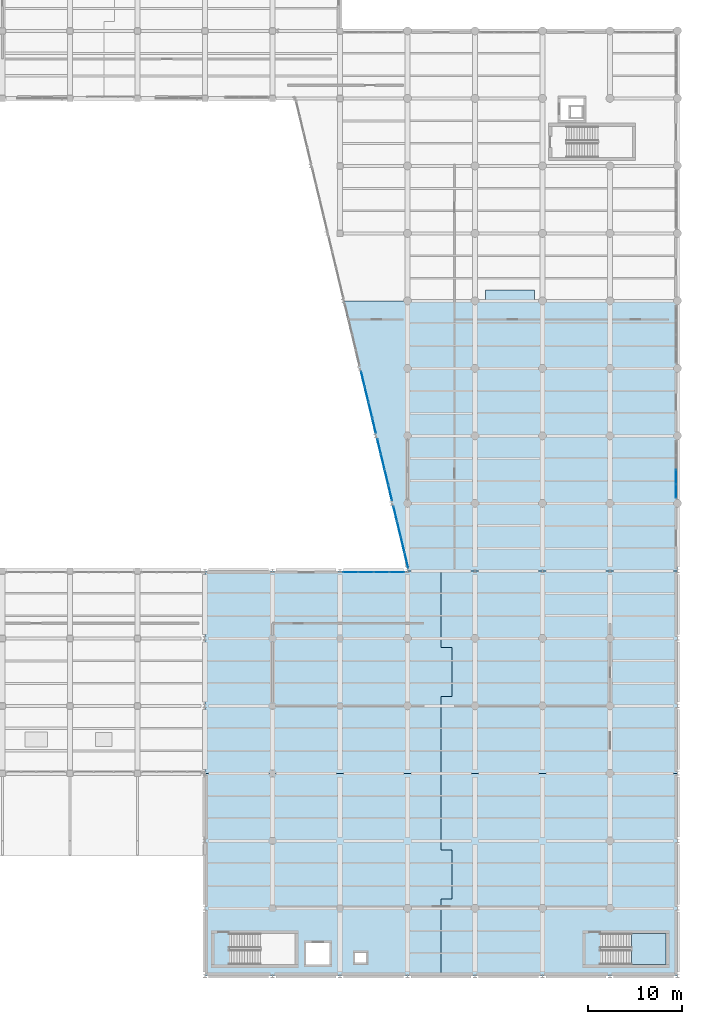
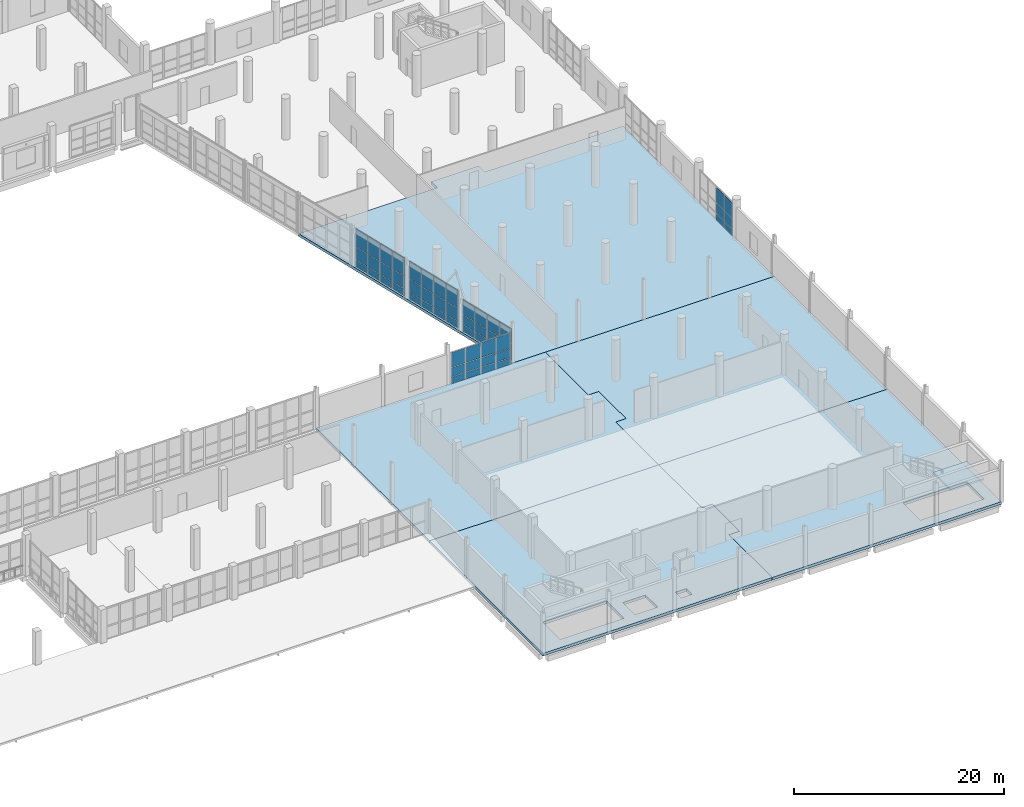
# One storey, part 85 of 127: 54 plates, 6 slabs, 6 elements without a shape of their own.
"""IFC4 building model written with IfcOpenShell, lengths in metres."""

from ifc_helpers import new_model, si_unit, direction, frame, origin, origin_2d, place, context, subcontext, project, spatial, polyline, rectangle, outline, extrude, material, layer, layer_set, type_object, element, aggregate, save


model = new_model("IFC4")

# Units and contexts
model_context = context("Model", 3, precision=1e-05, world=origin(), true_north=direction((0.0, 1.0)))
body_context = subcontext(model_context, "Body", "Model", "MODEL_VIEW")
ifc_project = project(units=[si_unit("LENGTHUNIT", "METRE"), si_unit("AREAUNIT", "SQUARE_METRE"), si_unit("VOLUMEUNIT", "CUBIC_METRE"), si_unit("PLANEANGLEUNIT", "RADIAN"), si_unit("MASSUNIT", "GRAM", prefix="KILO")], contexts=[model_context])

# Site, building, storey
site_placement = place(None, origin())
site = spatial("IfcSite", under=ifc_project, at=site_placement, CompositionType="ELEMENT")
building_placement = place(site_placement, origin())
building = spatial("IfcBuilding", under=site, at=building_placement, Name="Kalmorath City Hall", CompositionType="ELEMENT")
storey_placement = place(building_placement, frame((0.0, 0.0, 5.39990234375)))
storey = spatial("IfcBuildingStorey", under=building, at=storey_placement, Name="L01", CompositionType="ELEMENT", Elevation=5.39990234375)

# Slabs
ifc_material_1 = material(Name="Concrete C40/50", Category="concrete")
ifc_layer_1 = layer(ifc_material_1, 0.320068359375)
ifc_layer_set_1 = layer_set([ifc_layer_1], Name="Concrete C40/50")
slab_type_1 = type_object("IfcSlabType", Name="Concrete heavy assembly floor slab 320", PredefinedType="FLOOR", material=ifc_layer_set_1)
slab_1_placement = place(storey_placement, frame((0.0, 0.0, -0.31982421875)))
element("IfcSlab", 1, at=slab_1_placement, inside=storey, type_object=slab_type_1, Name="L01 Council Chamber Pavilion slab FS3-1", PredefinedType="FLOOR", context=body_context, shape_type="SweptSolid", body=[
    extrude(outline(polyline([(115.199951171875, 21.60009765625), (140.39990234375, 21.60009765625), (140.39990234375, 13.39990234375), (141.550048828125, 13.39990234375), (141.550048828125, 8.199951171875), (140.39990234375, 8.199951171875), (140.39990234375, 0.0), (115.199951171875, 0.0), (115.199951171875, 21.60009765625)]), holes=[polyline([(124.800048828125, 4.5), (117.7900390625, 4.5), (117.7900390625, 1.199951171875), (124.800048828125, 1.199951171875), (124.800048828125, 4.5)]), polyline([(128.5, 1.199951171875), (128.5, 3.5), (126.0, 3.5), (126.0, 1.199951171875), (128.5, 1.199951171875)]), polyline([(131.199951171875, 2.47998046875), (131.199951171875, 1.39990234375), (132.39990234375, 1.39990234375), (132.39990234375, 2.47998046875), (131.199951171875, 2.47998046875)])]), origin(), (0.0, 0.0, 1.0), 0.31982421875),
])
slab_2_placement = place(storey_placement, frame((0.0, 0.0, -0.31982421875)))
element("IfcSlab", 2, at=slab_2_placement, inside=storey, type_object=slab_type_1, Name="L01 Council Chamber Pavilion slab FS3-2", PredefinedType="FLOOR", context=body_context, shape_type="SweptSolid", body=[
    extrude(outline(polyline([(140.39990234375, 0.0), (140.39990234375, 8.199951171875), (141.550048828125, 8.199951171875), (141.550048828125, 13.39990234375), (140.39990234375, 13.39990234375), (140.39990234375, 21.60009765625), (165.60009765625, 21.60009765625), (165.60009765625, 0.0), (140.39990234375, 0.0)]), holes=[polyline([(157.389892578125, 1.199951171875), (164.39990234375, 1.199951171875), (164.39990234375, 4.5), (157.389892578125, 4.5), (157.389892578125, 1.199951171875)])]), origin(), (0.0, 0.0, 1.0), 0.31982421875),
])
slab_3_placement = place(storey_placement, frame((0.0, 0.0, -0.31982421875)))
element("IfcSlab", 3, at=slab_3_placement, inside=storey, type_object=slab_type_1, Name="L01 Council Chamber Pavilion slab FS3-3", PredefinedType="FLOOR", context=body_context, shape_type="SweptSolid", body=[
    extrude(outline(polyline([(140.39990234375, 35.0), (141.550048828125, 35.0), (141.550048828125, 29.800048828125), (140.39990234375, 29.800048828125), (140.39990234375, 21.60009765625), (115.199951171875, 21.60009765625), (115.199951171875, 43.199951171875), (140.39990234375, 43.199951171875), (140.39990234375, 35.0)])), origin(), (0.0, 0.0, 1.0), 0.31982421875),
])
slab_4_placement = place(storey_placement, frame((0.0, 0.0, -0.31982421875)))
element("IfcSlab", 4, at=slab_4_placement, inside=storey, type_object=slab_type_1, Name="L01 Council Chamber Pavilion slab FS3-4", PredefinedType="FLOOR", context=body_context, shape_type="SweptSolid", body=[
    extrude(outline(polyline([(165.60009765625, 21.60009765625), (140.39990234375, 21.60009765625), (140.39990234375, 29.800048828125), (141.550048828125, 29.800048828125), (141.550048828125, 35.0), (140.39990234375, 35.0), (140.39990234375, 43.199951171875), (165.60009765625, 43.199951171875), (165.60009765625, 21.60009765625)])), origin(), (0.0, 0.0, 1.0), 0.31982421875),
])
slab_5_placement = place(storey_placement, frame((0.0, 0.0, -0.31982421875)))
element("IfcSlab", 5, at=slab_5_placement, inside=storey, type_object=slab_type_1, Name="L01 Members Library Pavilion slab FS3-1", PredefinedType="FLOOR", context=body_context, shape_type="SweptSolid", body=[
    extrude(outline(polyline([(136.800048828125, 43.199951171875), (129.885498046875, 72.0), (145.142822265625, 72.0), (145.142822265625, 73.14990234375), (150.3427734375, 73.14990234375), (150.3427734375, 72.0), (165.60009765625, 72.0), (165.60009765625, 43.199951171875), (136.800048828125, 43.199951171875)])), origin(), (0.0, 0.0, 1.0), 0.31982421875),
])

# Stair, slab
ifc_material_2 = material(Name="Concrete C40/50", Category="concrete")
stair_type = type_object("IfcStairType", Name="Dogleg concrete exit stair 26R x 185mm W1550", PredefinedType="HALF_TURN_STAIR", material=ifc_material_2)
stair_placement = place(storey_placement, origin())
stair = element("IfcStair", 6, at=stair_placement, inside=storey, type_object=stair_type, Name="L01 Protected exit stair ST-7", PredefinedType="HALF_TURN_STAIR")
ifc_material_3 = material(Name="Concrete C40/50", Category="concrete")
ifc_layer_2 = layer(ifc_material_3, 0.199951171875)
ifc_layer_set_2 = layer_set([ifc_layer_2], Name="Concrete C40/50")
slab_type_2 = type_object("IfcSlabType", Name="Concrete stair half-landing slab 200", PredefinedType="LANDING", material=ifc_layer_set_2)
slab_6_placement = place(storey_placement, frame((0.0, 0.0, 2.2001953125)))
slab_6 = element("IfcSlab", 7, at=slab_6_placement, type_object=slab_type_2, Name="ST-7 landing 1", PredefinedType="LANDING", context=body_context, shape_type="SweptSolid", body=[
    extrude(outline(polyline([(160.7099609375, 1.199951171875), (164.39990234375, 1.199951171875), (164.39990234375, 4.5), (160.7099609375, 4.5), (160.7099609375, 1.199951171875)])), origin(), (0.0, 0.0, 1.0), 0.199951171875),
])
aggregate(stair, [slab_6])

# Curtain wall, plates
ifc_material_4 = material(Name="Anodised aluminium and laminated glass", Category="aluminium")
curtain_wall_type_1 = type_object("IfcCurtainWallType", Name="Unitised hurricane curtain wall 6170x3976 M1650", PredefinedType="NOTDEFINED", material=ifc_material_4)
curtain_wall_1_placement = place(storey_placement, origin())
curtain_wall_1 = element("IfcCurtainWall", 8, at=curtain_wall_1_placement, inside=storey, type_object=curtain_wall_type_1, Name="L01 curtain wall CW-62X40M16 #66", PredefinedType="NOTDEFINED")
ifc_material_5 = material(Name="Hurricane laminated low-E glass", Category="glass")
ifc_layer_3 = layer(ifc_material_5, 0.035888671875)
ifc_layer_set_3 = layer_set([ifc_layer_3], Name="Hurricane laminated low-E glass")
plate_type = type_object("IfcPlateType", Name="Library acoustic low-E glazed panel 36", PredefinedType="CURTAIN_PANEL", material=ifc_layer_set_3)
plate_1_placement = place(storey_placement, frame((165.43994140625, 53.228759765625, 0.06005859375), z_axis=(0.0, 0.0, 1.0), x_axis=(0.0, -1.0, 0.0)))
plate_1 = element("IfcPlate", 9, at=plate_1_placement, type_object=plate_type, Name="CW-62X40M16 panel 3.1", PredefinedType="CURTAIN_PANEL", context=body_context, shape_type="SweptSolid", body=[
    extrude(rectangle(XDim=1.467529296875, YDim=0.035888671875, at=origin_2d()), origin(), (0.0, 0.0, 1.0), 0.760009765625),
])
plate_2_placement = place(storey_placement, frame((165.43994140625, 53.228759765625, 0.8798828125), z_axis=(0.0, 0.0, 1.0), x_axis=(0.0, -1.0, 0.0)))
plate_2 = element("IfcPlate", 10, at=plate_2_placement, type_object=plate_type, Name="CW-62X40M16 panel 3.2", PredefinedType="CURTAIN_PANEL", context=body_context, shape_type="SweptSolid", body=[
    extrude(rectangle(XDim=1.467529296875, YDim=0.035888671875, at=origin_2d()), origin(), (0.0, 0.0, 1.0), 1.157958984375),
])
plate_3_placement = place(storey_placement, frame((165.43994140625, 53.228759765625, 2.09814453125), z_axis=(0.0, 0.0, 1.0), x_axis=(0.0, -1.0, 0.0)))
plate_3 = element("IfcPlate", 11, at=plate_3_placement, type_object=plate_type, Name="CW-62X40M16 panel 3.3", PredefinedType="CURTAIN_PANEL", context=body_context, shape_type="SweptSolid", body=[
    extrude(rectangle(XDim=1.467529296875, YDim=0.035888671875, at=origin_2d()), origin(), (0.0, 0.0, 1.0), 1.818115234375),
])
plate_4_placement = place(storey_placement, frame((165.43994140625, 51.705078125, 0.06005859375), z_axis=(0.0, 0.0, 1.0), x_axis=(0.0, -1.0, 0.0)))
plate_4 = element("IfcPlate", 12, at=plate_4_placement, type_object=plate_type, Name="CW-62X40M16 panel 4.1", PredefinedType="CURTAIN_PANEL", context=body_context, shape_type="SweptSolid", body=[
    extrude(rectangle(XDim=1.429931640625, YDim=0.035888671875, at=origin_2d()), origin(), (0.0, 0.0, 1.0), 0.760009765625),
])
plate_5_placement = place(storey_placement, frame((165.43994140625, 51.705078125, 0.8798828125), z_axis=(0.0, 0.0, 1.0), x_axis=(0.0, -1.0, 0.0)))
plate_5 = element("IfcPlate", 13, at=plate_5_placement, type_object=plate_type, Name="CW-62X40M16 panel 4.2", PredefinedType="CURTAIN_PANEL", context=body_context, shape_type="SweptSolid", body=[
    extrude(rectangle(XDim=1.429931640625, YDim=0.035888671875, at=origin_2d()), origin(), (0.0, 0.0, 1.0), 1.157958984375),
])
plate_6_placement = place(storey_placement, frame((165.43994140625, 51.705078125, 2.09814453125), z_axis=(0.0, 0.0, 1.0), x_axis=(0.0, -1.0, 0.0)))
plate_6 = element("IfcPlate", 14, at=plate_6_placement, type_object=plate_type, Name="CW-62X40M16 panel 4.3", PredefinedType="CURTAIN_PANEL", context=body_context, shape_type="SweptSolid", body=[
    extrude(rectangle(XDim=1.429931640625, YDim=0.035888671875, at=origin_2d()), origin(), (0.0, 0.0, 1.0), 1.818115234375),
])
aggregate(curtain_wall_1, [plate_1, plate_2, plate_3, plate_4, plate_5, plate_6])

ifc_material_6 = material(Name="Anodised aluminium and laminated glass", Category="aluminium")
curtain_wall_type_2 = type_object("IfcCurtainWallType", Name="Unitised hurricane curtain wall 6646x3751 M1650", PredefinedType="NOTDEFINED", material=ifc_material_6)
curtain_wall_2_placement = place(storey_placement, origin())
curtain_wall_2 = element("IfcCurtainWall", 15, at=curtain_wall_2_placement, inside=storey, type_object=curtain_wall_type_2, Name="L01 curtain wall CW-66X38M16 #93", PredefinedType="NOTDEFINED")
plate_7_placement = place(storey_placement, frame((130.7265625, 43.0400390625, 0.06005859375), z_axis=(0.0, 0.0, 1.0), x_axis=(1.0, 0.0, 0.0)))
plate_7 = element("IfcPlate", 16, at=plate_7_placement, type_object=plate_type, Name="CW-66X38M16 panel 1.1", PredefinedType="CURTAIN_PANEL", context=body_context, shape_type="SweptSolid", body=[
    extrude(rectangle(XDim=1.549072265625, YDim=0.035888671875, at=origin_2d()), origin(), (0.0, 0.0, 1.0), 0.760009765625),
])
plate_8_placement = place(storey_placement, frame((130.7265625, 43.0400390625, 0.880126953125), z_axis=(0.0, 0.0, 1.0), x_axis=(1.0, 0.0, 0.0)))
plate_8 = element("IfcPlate", 17, at=plate_8_placement, type_object=plate_type, Name="CW-66X38M16 panel 1.2", PredefinedType="CURTAIN_PANEL", context=body_context, shape_type="SweptSolid", body=[
    extrude(rectangle(XDim=1.549072265625, YDim=0.035888671875, at=origin_2d()), origin(), (0.0, 0.0, 1.0), 1.041015625),
])
plate_9_placement = place(storey_placement, frame((130.7265625, 43.0400390625, 1.981201171875), z_axis=(0.0, 0.0, 1.0), x_axis=(1.0, 0.0, 0.0)))
plate_9 = element("IfcPlate", 18, at=plate_9_placement, type_object=plate_type, Name="CW-66X38M16 panel 1.3", PredefinedType="CURTAIN_PANEL", context=body_context, shape_type="SweptSolid", body=[
    extrude(rectangle(XDim=1.549072265625, YDim=0.035888671875, at=origin_2d()), origin(), (0.0, 0.0, 1.0), 1.7099609375),
])
plate_10_placement = place(storey_placement, frame((132.369140625, 43.0400390625, 0.06005859375), z_axis=(0.0, 0.0, 1.0), x_axis=(1.0, 0.0, 0.0)))
plate_10 = element("IfcPlate", 19, at=plate_10_placement, type_object=plate_type, Name="CW-66X38M16 panel 2.1", PredefinedType="CURTAIN_PANEL", context=body_context, shape_type="SweptSolid", body=[
    extrude(rectangle(XDim=1.58642578125, YDim=0.035888671875, at=origin_2d()), origin(), (0.0, 0.0, 1.0), 0.760009765625),
])
plate_11_placement = place(storey_placement, frame((132.369140625, 43.0400390625, 0.880126953125), z_axis=(0.0, 0.0, 1.0), x_axis=(1.0, 0.0, 0.0)))
plate_11 = element("IfcPlate", 20, at=plate_11_placement, type_object=plate_type, Name="CW-66X38M16 panel 2.2", PredefinedType="CURTAIN_PANEL", context=body_context, shape_type="SweptSolid", body=[
    extrude(rectangle(XDim=1.58642578125, YDim=0.035888671875, at=origin_2d()), origin(), (0.0, 0.0, 1.0), 1.041015625),
])
plate_12_placement = place(storey_placement, frame((132.369140625, 43.0400390625, 1.981201171875), z_axis=(0.0, 0.0, 1.0), x_axis=(1.0, 0.0, 0.0)))
plate_12 = element("IfcPlate", 21, at=plate_12_placement, type_object=plate_type, Name="CW-66X38M16 panel 2.3", PredefinedType="CURTAIN_PANEL", context=body_context, shape_type="SweptSolid", body=[
    extrude(rectangle(XDim=1.58642578125, YDim=0.035888671875, at=origin_2d()), origin(), (0.0, 0.0, 1.0), 1.7099609375),
])
plate_13_placement = place(storey_placement, frame((134.03076171875, 43.0400390625, 0.06005859375), z_axis=(0.0, 0.0, 1.0), x_axis=(1.0, 0.0, 0.0)))
plate_13 = element("IfcPlate", 22, at=plate_13_placement, type_object=plate_type, Name="CW-66X38M16 panel 3.1", PredefinedType="CURTAIN_PANEL", context=body_context, shape_type="SweptSolid", body=[
    extrude(rectangle(XDim=1.58642578125, YDim=0.035888671875, at=origin_2d()), origin(), (0.0, 0.0, 1.0), 0.760009765625),
])
plate_14_placement = place(storey_placement, frame((134.03076171875, 43.0400390625, 0.880126953125), z_axis=(0.0, 0.0, 1.0), x_axis=(1.0, 0.0, 0.0)))
plate_14 = element("IfcPlate", 23, at=plate_14_placement, type_object=plate_type, Name="CW-66X38M16 panel 3.2", PredefinedType="CURTAIN_PANEL", context=body_context, shape_type="SweptSolid", body=[
    extrude(rectangle(XDim=1.58642578125, YDim=0.035888671875, at=origin_2d()), origin(), (0.0, 0.0, 1.0), 1.041015625),
])
plate_15_placement = place(storey_placement, frame((134.03076171875, 43.0400390625, 1.981201171875), z_axis=(0.0, 0.0, 1.0), x_axis=(1.0, 0.0, 0.0)))
plate_15 = element("IfcPlate", 24, at=plate_15_placement, type_object=plate_type, Name="CW-66X38M16 panel 3.3", PredefinedType="CURTAIN_PANEL", context=body_context, shape_type="SweptSolid", body=[
    extrude(rectangle(XDim=1.58642578125, YDim=0.035888671875, at=origin_2d()), origin(), (0.0, 0.0, 1.0), 1.7099609375),
])
plate_16_placement = place(storey_placement, frame((135.673583984375, 43.0400390625, 0.06005859375), z_axis=(0.0, 0.0, 1.0), x_axis=(1.0, 0.0, 0.0)))
plate_16 = element("IfcPlate", 25, at=plate_16_placement, type_object=plate_type, Name="CW-66X38M16 panel 4.1", PredefinedType="CURTAIN_PANEL", context=body_context, shape_type="SweptSolid", body=[
    extrude(rectangle(XDim=1.549072265625, YDim=0.035888671875, at=origin_2d()), origin(), (0.0, 0.0, 1.0), 0.760009765625),
])
plate_17_placement = place(storey_placement, frame((135.673583984375, 43.0400390625, 0.880126953125), z_axis=(0.0, 0.0, 1.0), x_axis=(1.0, 0.0, 0.0)))
plate_17 = element("IfcPlate", 26, at=plate_17_placement, type_object=plate_type, Name="CW-66X38M16 panel 4.2", PredefinedType="CURTAIN_PANEL", context=body_context, shape_type="SweptSolid", body=[
    extrude(rectangle(XDim=1.549072265625, YDim=0.035888671875, at=origin_2d()), origin(), (0.0, 0.0, 1.0), 1.041015625),
])
plate_18_placement = place(storey_placement, frame((135.673583984375, 43.0400390625, 1.981201171875), z_axis=(0.0, 0.0, 1.0), x_axis=(1.0, 0.0, 0.0)))
plate_18 = element("IfcPlate", 27, at=plate_18_placement, type_object=plate_type, Name="CW-66X38M16 panel 4.3", PredefinedType="CURTAIN_PANEL", context=body_context, shape_type="SweptSolid", body=[
    extrude(rectangle(XDim=1.549072265625, YDim=0.035888671875, at=origin_2d()), origin(), (0.0, 0.0, 1.0), 1.7099609375),
])
aggregate(curtain_wall_2, [plate_7, plate_8, plate_9, plate_10, plate_11, plate_12, plate_13, plate_14, plate_15, plate_16, plate_17, plate_18])

ifc_material_7 = material(Name="Anodised aluminium and laminated glass", Category="aluminium")
curtain_wall_type_3 = type_object("IfcCurtainWallType", Name="Unitised hurricane curtain wall 6842x3801 M1650", PredefinedType="NOTDEFINED", material=ifc_material_7)
curtain_wall_3_placement = place(storey_placement, origin())
curtain_wall_3 = element("IfcCurtainWall", 28, at=curtain_wall_3_placement, inside=storey, type_object=curtain_wall_type_3, Name="L01 curtain wall CW-68X38M16 #94", PredefinedType="NOTDEFINED")
plate_19_placement = place(storey_placement, frame((136.69384765625, 44.326904296875, 0.06005859375), z_axis=(0.0, 0.0, 1.0), x_axis=(-0.23345310467, 0.97236806196, 0.0)))
plate_19 = element("IfcPlate", 29, at=plate_19_placement, type_object=plate_type, Name="CW-68X38M16 panel 1.1", PredefinedType="CURTAIN_PANEL", context=body_context, shape_type="SweptSolid", body=[
    extrude(rectangle(XDim=1.597900390625, YDim=0.035888671875, at=origin_2d()), origin(), (0.0, 0.0, 1.0), 0.760009765625),
])
plate_20_placement = place(storey_placement, frame((136.69384765625, 44.326904296875, 0.880126953125), z_axis=(0.0, 0.0, 1.0), x_axis=(-0.23345310467, 0.97236806196, 0.0)))
plate_20 = element("IfcPlate", 30, at=plate_20_placement, type_object=plate_type, Name="CW-68X38M16 panel 1.2", PredefinedType="CURTAIN_PANEL", context=body_context, shape_type="SweptSolid", body=[
    extrude(rectangle(XDim=1.597900390625, YDim=0.035888671875, at=origin_2d()), origin(), (0.0, 0.0, 1.0), 1.06689453125),
])
plate_21_placement = place(storey_placement, frame((136.69384765625, 44.326904296875, 2.007080078125), z_axis=(0.0, 0.0, 1.0), x_axis=(-0.23345310467, 0.97236806196, 0.0)))
plate_21 = element("IfcPlate", 31, at=plate_21_placement, type_object=plate_type, Name="CW-68X38M16 panel 1.3", PredefinedType="CURTAIN_PANEL", context=body_context, shape_type="SweptSolid", body=[
    extrude(rectangle(XDim=1.597900390625, YDim=0.035888671875, at=origin_2d()), origin(), (0.0, 0.0, 1.0), 1.73388671875),
])
plate_22_placement = place(storey_placement, frame((136.299072265625, 45.971923828125, 0.06005859375), z_axis=(0.0, 0.0, 1.0), x_axis=(-0.23345310467, 0.97236806196, 0.0)))
plate_22 = element("IfcPlate", 32, at=plate_22_placement, type_object=plate_type, Name="CW-68X38M16 panel 2.1", PredefinedType="CURTAIN_PANEL", context=body_context, shape_type="SweptSolid", body=[
    extrude(rectangle(XDim=1.635498046875, YDim=0.035888671875, at=origin_2d()), origin(), (0.0, 0.0, 1.0), 0.760009765625),
])
plate_23_placement = place(storey_placement, frame((136.299072265625, 45.971923828125, 0.880126953125), z_axis=(0.0, 0.0, 1.0), x_axis=(-0.23345310467, 0.97236806196, 0.0)))
plate_23 = element("IfcPlate", 33, at=plate_23_placement, type_object=plate_type, Name="CW-68X38M16 panel 2.2", PredefinedType="CURTAIN_PANEL", context=body_context, shape_type="SweptSolid", body=[
    extrude(rectangle(XDim=1.635498046875, YDim=0.035888671875, at=origin_2d()), origin(), (0.0, 0.0, 1.0), 1.06689453125),
])
plate_24_placement = place(storey_placement, frame((136.299072265625, 45.971923828125, 2.007080078125), z_axis=(0.0, 0.0, 1.0), x_axis=(-0.23345310467, 0.97236806196, 0.0)))
plate_24 = element("IfcPlate", 34, at=plate_24_placement, type_object=plate_type, Name="CW-68X38M16 panel 2.3", PredefinedType="CURTAIN_PANEL", context=body_context, shape_type="SweptSolid", body=[
    extrude(rectangle(XDim=1.635498046875, YDim=0.035888671875, at=origin_2d()), origin(), (0.0, 0.0, 1.0), 1.73388671875),
])
plate_25_placement = place(storey_placement, frame((135.899658203125, 47.635009765625, 0.06005859375), z_axis=(0.0, 0.0, 1.0), x_axis=(-0.23345310467, 0.97236806196, 0.0)))
plate_25 = element("IfcPlate", 35, at=plate_25_placement, type_object=plate_type, Name="CW-68X38M16 panel 3.1", PredefinedType="CURTAIN_PANEL", context=body_context, shape_type="SweptSolid", body=[
    extrude(rectangle(XDim=1.635498046875, YDim=0.035888671875, at=origin_2d()), origin(), (0.0, 0.0, 1.0), 0.760009765625),
])
plate_26_placement = place(storey_placement, frame((135.899658203125, 47.635009765625, 0.880126953125), z_axis=(0.0, 0.0, 1.0), x_axis=(-0.23345310467, 0.97236806196, 0.0)))
plate_26 = element("IfcPlate", 36, at=plate_26_placement, type_object=plate_type, Name="CW-68X38M16 panel 3.2", PredefinedType="CURTAIN_PANEL", context=body_context, shape_type="SweptSolid", body=[
    extrude(rectangle(XDim=1.635498046875, YDim=0.035888671875, at=origin_2d()), origin(), (0.0, 0.0, 1.0), 1.06689453125),
])
plate_27_placement = place(storey_placement, frame((135.899658203125, 47.635009765625, 2.007080078125), z_axis=(0.0, 0.0, 1.0), x_axis=(-0.23345310467, 0.97236806196, 0.0)))
plate_27 = element("IfcPlate", 37, at=plate_27_placement, type_object=plate_type, Name="CW-68X38M16 panel 3.3", PredefinedType="CURTAIN_PANEL", context=body_context, shape_type="SweptSolid", body=[
    extrude(rectangle(XDim=1.635498046875, YDim=0.035888671875, at=origin_2d()), origin(), (0.0, 0.0, 1.0), 1.73388671875),
])
plate_28_placement = place(storey_placement, frame((135.504638671875, 49.280029296875, 0.06005859375), z_axis=(0.0, 0.0, 1.0), x_axis=(-0.23345310467, 0.97236806196, 0.0)))
plate_28 = element("IfcPlate", 38, at=plate_28_placement, type_object=plate_type, Name="CW-68X38M16 panel 4.1", PredefinedType="CURTAIN_PANEL", context=body_context, shape_type="SweptSolid", body=[
    extrude(rectangle(XDim=1.597900390625, YDim=0.035888671875, at=origin_2d()), origin(), (0.0, 0.0, 1.0), 0.760009765625),
])
plate_29_placement = place(storey_placement, frame((135.504638671875, 49.280029296875, 0.880126953125), z_axis=(0.0, 0.0, 1.0), x_axis=(-0.23345310467, 0.97236806196, 0.0)))
plate_29 = element("IfcPlate", 39, at=plate_29_placement, type_object=plate_type, Name="CW-68X38M16 panel 4.2", PredefinedType="CURTAIN_PANEL", context=body_context, shape_type="SweptSolid", body=[
    extrude(rectangle(XDim=1.597900390625, YDim=0.035888671875, at=origin_2d()), origin(), (0.0, 0.0, 1.0), 1.06689453125),
])
plate_30_placement = place(storey_placement, frame((135.504638671875, 49.280029296875, 2.007080078125), z_axis=(0.0, 0.0, 1.0), x_axis=(-0.23345310467, 0.97236806196, 0.0)))
plate_30 = element("IfcPlate", 40, at=plate_30_placement, type_object=plate_type, Name="CW-68X38M16 panel 4.3", PredefinedType="CURTAIN_PANEL", context=body_context, shape_type="SweptSolid", body=[
    extrude(rectangle(XDim=1.597900390625, YDim=0.035888671875, at=origin_2d()), origin(), (0.0, 0.0, 1.0), 1.73388671875),
])
aggregate(curtain_wall_3, [plate_19, plate_20, plate_21, plate_22, plate_23, plate_24, plate_25, plate_26, plate_27, plate_28, plate_29, plate_30])

ifc_material_8 = material(Name="Anodised aluminium and laminated glass", Category="aluminium")
curtain_wall_type_4 = type_object("IfcCurtainWallType", Name="Unitised hurricane curtain wall 6849x4520 M1650", PredefinedType="NOTDEFINED", material=ifc_material_8)
curtain_wall_4_placement = place(storey_placement, origin())
curtain_wall_4 = element("IfcCurtainWall", 41, at=curtain_wall_4_placement, inside=storey, type_object=curtain_wall_type_4, Name="L01 curtain wall CW-68X45M16 #95", PredefinedType="NOTDEFINED")
plate_31_placement = place(storey_placement, frame((134.966796875, 51.520751953125, 0.06005859375), z_axis=(0.0, 0.0, 1.0), x_axis=(-0.233455781305, 0.97236741933, 0.0)))
plate_31 = element("IfcPlate", 42, at=plate_31_placement, type_object=plate_type, Name="CW-68X45M16 panel 1.1", PredefinedType="CURTAIN_PANEL", context=body_context, shape_type="SweptSolid", body=[
    extrude(rectangle(XDim=1.599853515625, YDim=0.035888671875, at=origin_2d()), origin(), (0.0, 0.0, 1.0), 0.760009765625),
])
plate_32_placement = place(storey_placement, frame((134.966796875, 51.520751953125, 0.880126953125), z_axis=(0.0, 0.0, 1.0), x_axis=(-0.233455781305, 0.97236741933, 0.0)))
plate_32 = element("IfcPlate", 43, at=plate_32_placement, type_object=plate_type, Name="CW-68X45M16 panel 1.2", PredefinedType="CURTAIN_PANEL", context=body_context, shape_type="SweptSolid", body=[
    extrude(rectangle(XDim=1.599853515625, YDim=0.035888671875, at=origin_2d()), origin(), (0.0, 0.0, 1.0), 1.43994140625),
])
plate_33_placement = place(storey_placement, frame((134.966796875, 51.520751953125, 2.380126953125), z_axis=(0.0, 0.0, 1.0), x_axis=(-0.233455781305, 0.97236741933, 0.0)))
plate_33 = element("IfcPlate", 44, at=plate_33_placement, type_object=plate_type, Name="CW-68X45M16 panel 1.3", PredefinedType="CURTAIN_PANEL", context=body_context, shape_type="SweptSolid", body=[
    extrude(rectangle(XDim=1.599853515625, YDim=0.035888671875, at=origin_2d()), origin(), (0.0, 0.0, 1.0), 2.080078125),
])
plate_34_placement = place(storey_placement, frame((134.571533203125, 53.16748046875, 0.06005859375), z_axis=(0.0, 0.0, 1.0), x_axis=(-0.233455781305, 0.97236741933, 0.0)))
plate_34 = element("IfcPlate", 45, at=plate_34_placement, type_object=plate_type, Name="CW-68X45M16 panel 2.1", PredefinedType="CURTAIN_PANEL", context=body_context, shape_type="SweptSolid", body=[
    extrude(rectangle(XDim=1.63720703125, YDim=0.035888671875, at=origin_2d()), origin(), (0.0, 0.0, 1.0), 0.760009765625),
])
plate_35_placement = place(storey_placement, frame((134.571533203125, 53.16748046875, 0.880126953125), z_axis=(0.0, 0.0, 1.0), x_axis=(-0.233455781305, 0.97236741933, 0.0)))
plate_35 = element("IfcPlate", 46, at=plate_35_placement, type_object=plate_type, Name="CW-68X45M16 panel 2.2", PredefinedType="CURTAIN_PANEL", context=body_context, shape_type="SweptSolid", body=[
    extrude(rectangle(XDim=1.63720703125, YDim=0.035888671875, at=origin_2d()), origin(), (0.0, 0.0, 1.0), 1.43994140625),
])
plate_36_placement = place(storey_placement, frame((134.571533203125, 53.16748046875, 2.380126953125), z_axis=(0.0, 0.0, 1.0), x_axis=(-0.233455781305, 0.97236741933, 0.0)))
plate_36 = element("IfcPlate", 47, at=plate_36_placement, type_object=plate_type, Name="CW-68X45M16 panel 2.3", PredefinedType="CURTAIN_PANEL", context=body_context, shape_type="SweptSolid", body=[
    extrude(rectangle(XDim=1.63720703125, YDim=0.035888671875, at=origin_2d()), origin(), (0.0, 0.0, 1.0), 2.080078125),
])
plate_37_placement = place(storey_placement, frame((134.171630859375, 54.83251953125, 0.06005859375), z_axis=(0.0, 0.0, 1.0), x_axis=(-0.233455781305, 0.97236741933, 0.0)))
plate_37 = element("IfcPlate", 48, at=plate_37_placement, type_object=plate_type, Name="CW-68X45M16 panel 3.1", PredefinedType="CURTAIN_PANEL", context=body_context, shape_type="SweptSolid", body=[
    extrude(rectangle(XDim=1.63720703125, YDim=0.035888671875, at=origin_2d()), origin(), (0.0, 0.0, 1.0), 0.760009765625),
])
plate_38_placement = place(storey_placement, frame((134.171630859375, 54.83251953125, 0.880126953125), z_axis=(0.0, 0.0, 1.0), x_axis=(-0.233455781305, 0.97236741933, 0.0)))
plate_38 = element("IfcPlate", 49, at=plate_38_placement, type_object=plate_type, Name="CW-68X45M16 panel 3.2", PredefinedType="CURTAIN_PANEL", context=body_context, shape_type="SweptSolid", body=[
    extrude(rectangle(XDim=1.63720703125, YDim=0.035888671875, at=origin_2d()), origin(), (0.0, 0.0, 1.0), 1.43994140625),
])
plate_39_placement = place(storey_placement, frame((134.171630859375, 54.83251953125, 2.380126953125), z_axis=(0.0, 0.0, 1.0), x_axis=(-0.233455781305, 0.97236741933, 0.0)))
plate_39 = element("IfcPlate", 50, at=plate_39_placement, type_object=plate_type, Name="CW-68X45M16 panel 3.3", PredefinedType="CURTAIN_PANEL", context=body_context, shape_type="SweptSolid", body=[
    extrude(rectangle(XDim=1.63720703125, YDim=0.035888671875, at=origin_2d()), origin(), (0.0, 0.0, 1.0), 2.080078125),
])
plate_40_placement = place(storey_placement, frame((133.7763671875, 56.479248046875, 0.06005859375), z_axis=(0.0, 0.0, 1.0), x_axis=(-0.233455781305, 0.97236741933, 0.0)))
plate_40 = element("IfcPlate", 51, at=plate_40_placement, type_object=plate_type, Name="CW-68X45M16 panel 4.1", PredefinedType="CURTAIN_PANEL", context=body_context, shape_type="SweptSolid", body=[
    extrude(rectangle(XDim=1.599853515625, YDim=0.035888671875, at=origin_2d()), origin(), (0.0, 0.0, 1.0), 0.760009765625),
])
plate_41_placement = place(storey_placement, frame((133.7763671875, 56.479248046875, 0.880126953125), z_axis=(0.0, 0.0, 1.0), x_axis=(-0.233455781305, 0.97236741933, 0.0)))
plate_41 = element("IfcPlate", 52, at=plate_41_placement, type_object=plate_type, Name="CW-68X45M16 panel 4.2", PredefinedType="CURTAIN_PANEL", context=body_context, shape_type="SweptSolid", body=[
    extrude(rectangle(XDim=1.599853515625, YDim=0.035888671875, at=origin_2d()), origin(), (0.0, 0.0, 1.0), 1.43994140625),
])
plate_42_placement = place(storey_placement, frame((133.7763671875, 56.479248046875, 2.380126953125), z_axis=(0.0, 0.0, 1.0), x_axis=(-0.233455781305, 0.97236741933, 0.0)))
plate_42 = element("IfcPlate", 53, at=plate_42_placement, type_object=plate_type, Name="CW-68X45M16 panel 4.3", PredefinedType="CURTAIN_PANEL", context=body_context, shape_type="SweptSolid", body=[
    extrude(rectangle(XDim=1.599853515625, YDim=0.035888671875, at=origin_2d()), origin(), (0.0, 0.0, 1.0), 2.080078125),
])
aggregate(curtain_wall_4, [plate_31, plate_32, plate_33, plate_34, plate_35, plate_36, plate_37, plate_38, plate_39, plate_40, plate_41, plate_42])

curtain_wall_5_placement = place(storey_placement, origin())
curtain_wall_5 = element("IfcCurtainWall", 54, at=curtain_wall_5_placement, inside=storey, type_object=curtain_wall_type_4, Name="L01 curtain wall CW-68X45M16 #96", PredefinedType="NOTDEFINED")
plate_43_placement = place(storey_placement, frame((133.23828125, 58.720703125, 0.06005859375), z_axis=(0.0, 0.0, 1.0), x_axis=(-0.233455781305, 0.97236741933, 0.0)))
plate_43 = element("IfcPlate", 55, at=plate_43_placement, type_object=plate_type, Name="CW-68X45M16 panel 1.1", PredefinedType="CURTAIN_PANEL", context=body_context, shape_type="SweptSolid", body=[
    extrude(rectangle(XDim=1.599853515625, YDim=0.035888671875, at=origin_2d()), origin(), (0.0, 0.0, 1.0), 0.760009765625),
])
plate_44_placement = place(storey_placement, frame((133.23828125, 58.720703125, 0.880126953125), z_axis=(0.0, 0.0, 1.0), x_axis=(-0.233455781305, 0.97236741933, 0.0)))
plate_44 = element("IfcPlate", 56, at=plate_44_placement, type_object=plate_type, Name="CW-68X45M16 panel 1.2", PredefinedType="CURTAIN_PANEL", context=body_context, shape_type="SweptSolid", body=[
    extrude(rectangle(XDim=1.599853515625, YDim=0.035888671875, at=origin_2d()), origin(), (0.0, 0.0, 1.0), 1.43994140625),
])
plate_45_placement = place(storey_placement, frame((133.23828125, 58.720703125, 2.380126953125), z_axis=(0.0, 0.0, 1.0), x_axis=(-0.233455781305, 0.97236741933, 0.0)))
plate_45 = element("IfcPlate", 57, at=plate_45_placement, type_object=plate_type, Name="CW-68X45M16 panel 1.3", PredefinedType="CURTAIN_PANEL", context=body_context, shape_type="SweptSolid", body=[
    extrude(rectangle(XDim=1.599853515625, YDim=0.035888671875, at=origin_2d()), origin(), (0.0, 0.0, 1.0), 2.080078125),
])
plate_46_placement = place(storey_placement, frame((132.8427734375, 60.367431640625, 0.06005859375), z_axis=(0.0, 0.0, 1.0), x_axis=(-0.233455781305, 0.97236741933, 0.0)))
plate_46 = element("IfcPlate", 58, at=plate_46_placement, type_object=plate_type, Name="CW-68X45M16 panel 2.1", PredefinedType="CURTAIN_PANEL", context=body_context, shape_type="SweptSolid", body=[
    extrude(rectangle(XDim=1.63720703125, YDim=0.035888671875, at=origin_2d()), origin(), (0.0, 0.0, 1.0), 0.760009765625),
])
plate_47_placement = place(storey_placement, frame((132.8427734375, 60.367431640625, 0.880126953125), z_axis=(0.0, 0.0, 1.0), x_axis=(-0.233455781305, 0.97236741933, 0.0)))
plate_47 = element("IfcPlate", 59, at=plate_47_placement, type_object=plate_type, Name="CW-68X45M16 panel 2.2", PredefinedType="CURTAIN_PANEL", context=body_context, shape_type="SweptSolid", body=[
    extrude(rectangle(XDim=1.63720703125, YDim=0.035888671875, at=origin_2d()), origin(), (0.0, 0.0, 1.0), 1.43994140625),
])
plate_48_placement = place(storey_placement, frame((132.8427734375, 60.367431640625, 2.380126953125), z_axis=(0.0, 0.0, 1.0), x_axis=(-0.233455781305, 0.97236741933, 0.0)))
plate_48 = element("IfcPlate", 60, at=plate_48_placement, type_object=plate_type, Name="CW-68X45M16 panel 2.3", PredefinedType="CURTAIN_PANEL", context=body_context, shape_type="SweptSolid", body=[
    extrude(rectangle(XDim=1.63720703125, YDim=0.035888671875, at=origin_2d()), origin(), (0.0, 0.0, 1.0), 2.080078125),
])
plate_49_placement = place(storey_placement, frame((132.443115234375, 62.032470703125, 0.06005859375), z_axis=(0.0, 0.0, 1.0), x_axis=(-0.233455781305, 0.97236741933, 0.0)))
plate_49 = element("IfcPlate", 61, at=plate_49_placement, type_object=plate_type, Name="CW-68X45M16 panel 3.1", PredefinedType="CURTAIN_PANEL", context=body_context, shape_type="SweptSolid", body=[
    extrude(rectangle(XDim=1.63720703125, YDim=0.035888671875, at=origin_2d()), origin(), (0.0, 0.0, 1.0), 0.760009765625),
])
plate_50_placement = place(storey_placement, frame((132.443115234375, 62.032470703125, 0.880126953125), z_axis=(0.0, 0.0, 1.0), x_axis=(-0.233455781305, 0.97236741933, 0.0)))
plate_50 = element("IfcPlate", 62, at=plate_50_placement, type_object=plate_type, Name="CW-68X45M16 panel 3.2", PredefinedType="CURTAIN_PANEL", context=body_context, shape_type="SweptSolid", body=[
    extrude(rectangle(XDim=1.63720703125, YDim=0.035888671875, at=origin_2d()), origin(), (0.0, 0.0, 1.0), 1.43994140625),
])
plate_51_placement = place(storey_placement, frame((132.443115234375, 62.032470703125, 2.380126953125), z_axis=(0.0, 0.0, 1.0), x_axis=(-0.233455781305, 0.97236741933, 0.0)))
plate_51 = element("IfcPlate", 63, at=plate_51_placement, type_object=plate_type, Name="CW-68X45M16 panel 3.3", PredefinedType="CURTAIN_PANEL", context=body_context, shape_type="SweptSolid", body=[
    extrude(rectangle(XDim=1.63720703125, YDim=0.035888671875, at=origin_2d()), origin(), (0.0, 0.0, 1.0), 2.080078125),
])
plate_52_placement = place(storey_placement, frame((132.0478515625, 63.67919921875, 0.06005859375), z_axis=(0.0, 0.0, 1.0), x_axis=(-0.233455781305, 0.97236741933, 0.0)))
plate_52 = element("IfcPlate", 64, at=plate_52_placement, type_object=plate_type, Name="CW-68X45M16 panel 4.1", PredefinedType="CURTAIN_PANEL", context=body_context, shape_type="SweptSolid", body=[
    extrude(rectangle(XDim=1.599853515625, YDim=0.035888671875, at=origin_2d()), origin(), (0.0, 0.0, 1.0), 0.760009765625),
])
plate_53_placement = place(storey_placement, frame((132.0478515625, 63.67919921875, 0.880126953125), z_axis=(0.0, 0.0, 1.0), x_axis=(-0.233455781305, 0.97236741933, 0.0)))
plate_53 = element("IfcPlate", 65, at=plate_53_placement, type_object=plate_type, Name="CW-68X45M16 panel 4.2", PredefinedType="CURTAIN_PANEL", context=body_context, shape_type="SweptSolid", body=[
    extrude(rectangle(XDim=1.599853515625, YDim=0.035888671875, at=origin_2d()), origin(), (0.0, 0.0, 1.0), 1.43994140625),
])
plate_54_placement = place(storey_placement, frame((132.0478515625, 63.67919921875, 2.380126953125), z_axis=(0.0, 0.0, 1.0), x_axis=(-0.233455781305, 0.97236741933, 0.0)))
plate_54 = element("IfcPlate", 66, at=plate_54_placement, type_object=plate_type, Name="CW-68X45M16 panel 4.3", PredefinedType="CURTAIN_PANEL", context=body_context, shape_type="SweptSolid", body=[
    extrude(rectangle(XDim=1.599853515625, YDim=0.035888671875, at=origin_2d()), origin(), (0.0, 0.0, 1.0), 2.080078125),
])
aggregate(curtain_wall_5, [plate_43, plate_44, plate_45, plate_46, plate_47, plate_48, plate_49, plate_50, plate_51, plate_52, plate_53, plate_54])

save(model, "model.ifc")
